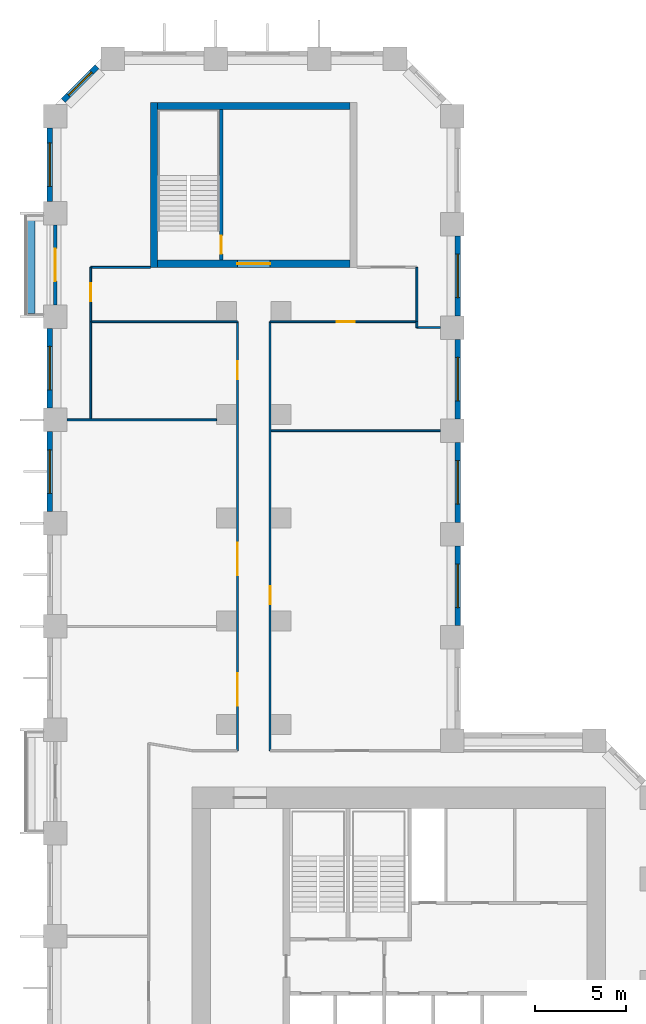
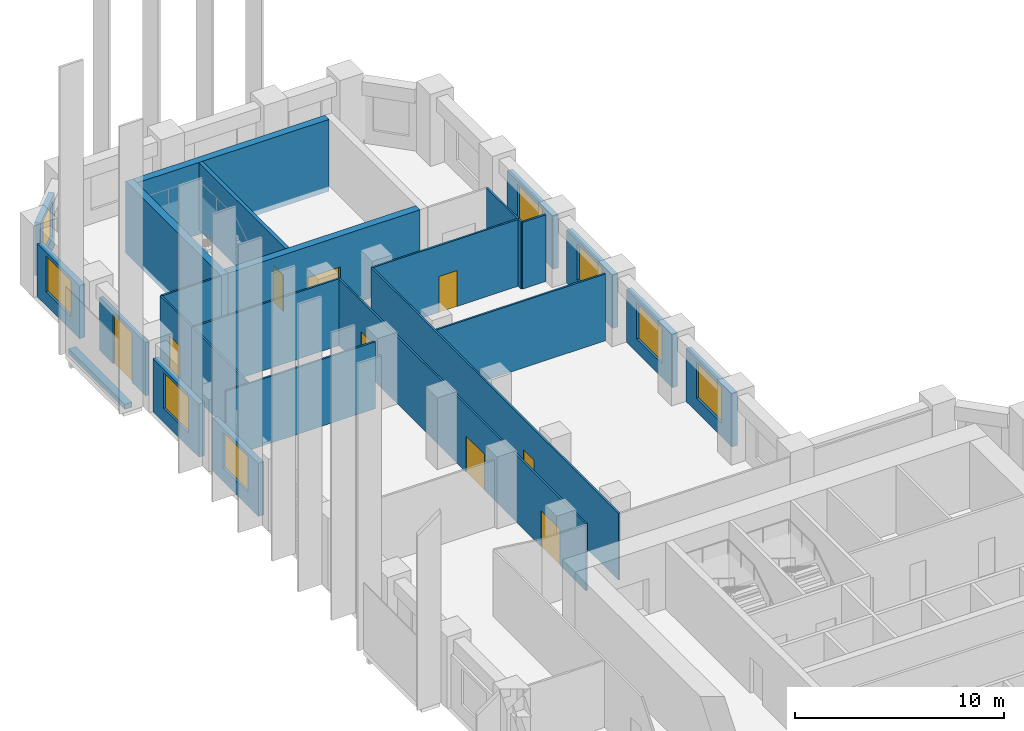
# One storey, part 8 of 10: 26 walls, 9 doors, 8 windows, 17 openings.
"""IFC4 building model written with IfcOpenShell, lengths in metres."""

from ifc_helpers import new_model, si_unit, direction, frame, frame_2d, origin, place, context, subcontext, project, spatial, rectangle, extrude, material, layer, layer_set, type_object, element, fill, save


model = new_model("IFC4")

# Units and contexts
model_context = context("Model", 3, precision=1e-05, world=origin(), true_north=direction((0.0, 1.0)))
body_context = subcontext(model_context, "Body", "Model", "MODEL_VIEW")
ifc_project = project(units=[si_unit("LENGTHUNIT", "METRE"), si_unit("AREAUNIT", "SQUARE_METRE"), si_unit("VOLUMEUNIT", "CUBIC_METRE"), si_unit("PLANEANGLEUNIT", "RADIAN"), si_unit("MASSUNIT", "GRAM", prefix="KILO")], contexts=[model_context])

# Site, building, storey
site_placement = place(None, origin())
site = spatial("IfcSite", under=ifc_project, at=site_placement, CompositionType="ELEMENT")
building_placement = place(site_placement, origin())
building = spatial("IfcBuilding", under=site, at=building_placement, Name="Meshkara Civic Tower", CompositionType="ELEMENT")
storey_placement = place(building_placement, frame((0.0, 0.0, 130.800048828125)))
storey = spatial("IfcBuildingStorey", under=building, at=storey_placement, Name="L29", CompositionType="ELEMENT", Elevation=130.800048828125)

# Wall
ifc_material_1 = material(Name="Corridor wall 100")
ifc_layer_1 = layer(ifc_material_1, 0.10009765625)
ifc_layer_set_1 = layer_set([ifc_layer_1], Name="Corridor wall 100")
wall_type_1 = type_object("IfcWallType", Name="Corridor wall 100", PredefinedType="PARTITIONING", material=ifc_layer_set_1)
wall_1_placement = place(storey_placement, frame((2.39990234375, 62.570068359375, 0.0), z_axis=(0.0, 0.0, 1.0), x_axis=(1.0, 0.0, 0.0)))
element("IfcWall", 1, at=wall_1_placement, inside=storey, type_object=wall_type_1, Name="L29-W001", PredefinedType="PARTITIONING", context=body_context, shape_type="SweptSolid", body=[
    extrude(rectangle(XDim=8.10009765625, YDim=0.10009765625, at=frame_2d((4.050048828125, 0.0))), origin(), (0.0, 0.0, 1.0), 3.89990234375),
])

# Wall, opening, door
wall_2_placement = place(storey_placement, frame((2.39990234375, 65.570068359375, 0.0), z_axis=(0.0, 0.0, 1.0), x_axis=(0.0, -1.0, 0.0)))
wall_2 = element("IfcWall", 2, at=wall_2_placement, inside=storey, type_object=wall_type_1, Name="L29-W002", PredefinedType="PARTITIONING", context=body_context, shape_type="SweptSolid", body=[
    extrude(rectangle(XDim=3.0, YDim=0.10009765625, at=frame_2d((1.5, 0.0))), origin(), (0.0, 0.0, 1.0), 3.89990234375),
])
opening_1_placement = place(wall_2_placement, frame((0.8798828125, 0.0, 0.0)))
opening_1 = element("IfcOpeningElement", 3, at=opening_1_placement, cuts=wall_2, Name="Opening L29-D024", PredefinedType="OPENING", context=body_context, shape_type="SweptSolid", body=[
    extrude(rectangle(XDim=1.0, YDim=2.10009765625, at=frame_2d((0.5, 1.050048828125))), frame((0.0, 0.06005859375, 0.0), z_axis=(0.0, -1.0, 0.0), x_axis=(1.0, 0.0, 0.0)), (0.0, 0.0, 1.0), 0.1201171875),
])
ifc_material_2 = material(Name="Door 1000 x 2100")
door_type_1 = type_object("IfcDoorType", Name="Door 1000 x 2100", OperationType="SINGLE_SWING_LEFT", PredefinedType="DOOR", material=ifc_material_2)
door_1_placement = place(opening_1_placement, origin())
door_1 = element("IfcDoor", 4, at=door_1_placement, inside=storey, type_object=door_type_1, Name="L29-D024", OperationType="SINGLE_SWING_RIGHT", OverallHeight=2.10009765625, OverallWidth=1.0, PredefinedType="DOOR", context=body_context, shape_type="SweptSolid", body=[
    extrude(rectangle(XDim=1.0, YDim=2.10009765625, at=frame_2d((0.5, 1.050048828125))), frame((0.0, 0.02490234375, 0.0), z_axis=(0.0, -1.0, 0.0), x_axis=(1.0, 0.0, 0.0)), (0.0, 0.0, 1.0), 0.050048828125),
])
fill(opening_1, door_1)

# Wall
wall_3_placement = place(storey_placement, frame((5.699951171875, 65.570068359375, 0.0), z_axis=(0.0, 0.0, 1.0), x_axis=(-1.0, 0.0, 0.0)))
element("IfcWall", 5, at=wall_3_placement, inside=storey, type_object=wall_type_1, Name="L29-W005", PredefinedType="PARTITIONING", context=body_context, shape_type="SweptSolid", body=[
    extrude(rectangle(XDim=3.300048828125, YDim=0.10009765625, at=frame_2d((1.64990234375, 0.0))), origin(), (0.0, 0.0, 1.0), 3.89990234375),
])

# Wall, openings, doors
wall_4_placement = place(storey_placement, frame((10.5, 62.570068359375, 0.0), z_axis=(0.0, 0.0, 1.0), x_axis=(0.0, -1.0, 0.0)))
wall_4 = element("IfcWall", 6, at=wall_4_placement, inside=storey, type_object=wall_type_1, Name="L29-W013", PredefinedType="PARTITIONING", context=body_context, shape_type="SweptSolid", body=[
    extrude(rectangle(XDim=23.670166015625, YDim=0.10009765625, at=frame_2d((11.8349609375, 0.0))), origin(), (0.0, 0.0, 1.0), 3.89990234375),
])
opening_2_placement = place(wall_4_placement, frame((19.39501953125, 0.0, 0.0)))
opening_2 = element("IfcOpeningElement", 7, at=opening_2_placement, cuts=wall_4, Name="Opening L29-D020", PredefinedType="OPENING", context=body_context, shape_type="SweptSolid", body=[
    extrude(rectangle(XDim=1.800048828125, YDim=2.10009765625, at=frame_2d((0.89990234375, 1.050048828125))), frame((0.0, 0.06005859375, 0.0), z_axis=(0.0, -1.0, 0.0), x_axis=(1.0, 0.0, 0.0)), (0.0, 0.0, 1.0), 0.1201171875),
])
opening_3_placement = place(wall_4_placement, frame((12.195068359375, 0.0, 0.0)))
opening_3 = element("IfcOpeningElement", 8, at=opening_3_placement, cuts=wall_4, Name="Opening L29-D022", PredefinedType="OPENING", context=body_context, shape_type="SweptSolid", body=[
    extrude(rectangle(XDim=1.800048828125, YDim=2.10009765625, at=frame_2d((0.89990234375, 1.050048828125))), frame((0.0, 0.06005859375, 0.0), z_axis=(0.0, -1.0, 0.0), x_axis=(1.0, 0.0, 0.0)), (0.0, 0.0, 1.0), 0.1201171875),
])
opening_4_placement = place(wall_4_placement, frame((2.179931640625, 0.0, 0.0)))
opening_4 = element("IfcOpeningElement", 9, at=opening_4_placement, cuts=wall_4, Name="Opening L29-D023", PredefinedType="OPENING", context=body_context, shape_type="SweptSolid", body=[
    extrude(rectangle(XDim=1.0, YDim=2.10009765625, at=frame_2d((0.5, 1.050048828125))), frame((0.0, 0.06005859375, 0.0), z_axis=(0.0, -1.0, 0.0), x_axis=(1.0, 0.0, 0.0)), (0.0, 0.0, 1.0), 0.1201171875),
])
door_2_placement = place(opening_4_placement, origin())
door_2 = element("IfcDoor", 10, at=door_2_placement, inside=storey, type_object=door_type_1, Name="L29-D023", OperationType="SINGLE_SWING_RIGHT", OverallHeight=2.10009765625, OverallWidth=1.0, PredefinedType="DOOR", context=body_context, shape_type="SweptSolid", body=[
    extrude(rectangle(XDim=1.0, YDim=2.10009765625, at=frame_2d((0.5, 1.050048828125))), frame((0.0, 0.02490234375, 0.0), z_axis=(0.0, -1.0, 0.0), x_axis=(1.0, 0.0, 0.0)), (0.0, 0.0, 1.0), 0.050048828125),
])
fill(opening_4, door_2)
ifc_material_3 = material(Name="Door pair 1800 x 2100")
door_type_2 = type_object("IfcDoorType", Name="Door pair 1800 x 2100", OperationType="SINGLE_SWING_LEFT", PredefinedType="DOOR", material=ifc_material_3)
door_3_placement = place(opening_2_placement, origin())
door_3 = element("IfcDoor", 11, at=door_3_placement, inside=storey, type_object=door_type_2, Name="L29-D020", OperationType="DOUBLE_DOOR_SINGLE_SWING", OverallHeight=2.10009765625, OverallWidth=1.800048828125, PredefinedType="DOOR", context=body_context, shape_type="SweptSolid", body=[
    extrude(rectangle(XDim=1.800048828125, YDim=2.10009765625, at=frame_2d((0.89990234375, 1.050048828125))), frame((0.0, 0.02490234375, 0.0), z_axis=(0.0, -1.0, 0.0), x_axis=(1.0, 0.0, 0.0)), (0.0, 0.0, 1.0), 0.050048828125),
])
fill(opening_2, door_3)
door_4_placement = place(opening_3_placement, origin())
door_4 = element("IfcDoor", 12, at=door_4_placement, inside=storey, type_object=door_type_2, Name="L29-D022", OperationType="DOUBLE_DOOR_SINGLE_SWING", OverallHeight=2.10009765625, OverallWidth=1.800048828125, PredefinedType="DOOR", context=body_context, shape_type="SweptSolid", body=[
    extrude(rectangle(XDim=1.800048828125, YDim=2.10009765625, at=frame_2d((0.89990234375, 1.050048828125))), frame((0.0, 0.02490234375, 0.0), z_axis=(0.0, -1.0, 0.0), x_axis=(1.0, 0.0, 0.0)), (0.0, 0.0, 1.0), 0.050048828125),
])
fill(opening_3, door_4)

# Wall, opening, door
wall_5_placement = place(storey_placement, frame((12.300048828125, 62.570068359375, 0.0), z_axis=(0.0, 0.0, 1.0), x_axis=(0.0, -1.0, 0.0)))
wall_5 = element("IfcWall", 13, at=wall_5_placement, inside=storey, type_object=wall_type_1, Name="L29-W014", PredefinedType="PARTITIONING", context=body_context, shape_type="SweptSolid", body=[
    extrude(rectangle(XDim=23.670166015625, YDim=0.10009765625, at=frame_2d((11.8349609375, 0.0))), origin(), (0.0, 0.0, 1.0), 3.89990234375),
])
opening_5_placement = place(wall_5_placement, frame((14.60009765625, 0.0, 0.0)))
opening_5 = element("IfcOpeningElement", 14, at=opening_5_placement, cuts=wall_5, Name="Opening L29-D021", PredefinedType="OPENING", context=body_context, shape_type="SweptSolid", body=[
    extrude(rectangle(XDim=1.0, YDim=2.10009765625, at=frame_2d((0.5, 1.050048828125))), frame((0.0, 0.06005859375, 0.0), z_axis=(0.0, -1.0, 0.0), x_axis=(1.0, 0.0, 0.0)), (0.0, 0.0, 1.0), 0.1201171875),
])
door_5_placement = place(opening_5_placement, origin())
door_5 = element("IfcDoor", 15, at=door_5_placement, inside=storey, type_object=door_type_1, Name="L29-D021", OperationType="SINGLE_SWING_RIGHT", OverallHeight=2.10009765625, OverallWidth=1.0, PredefinedType="DOOR", context=body_context, shape_type="SweptSolid", body=[
    extrude(rectangle(XDim=1.0, YDim=2.10009765625, at=frame_2d((0.5, 1.050048828125))), frame((0.0, 0.02490234375, 0.0), z_axis=(0.0, -1.0, 0.0), x_axis=(1.0, 0.0, 0.0)), (0.0, 0.0, 1.0), 0.050048828125),
])
fill(opening_5, door_5)

wall_6_placement = place(storey_placement, frame((12.300048828125, 62.570068359375, 0.0), z_axis=(0.0, 0.0, 1.0), x_axis=(1.0, 0.0, 0.0)))
wall_6 = element("IfcWall", 16, at=wall_6_placement, inside=storey, type_object=wall_type_1, Name="L29-W015", PredefinedType="PARTITIONING", context=body_context, shape_type="SweptSolid", body=[
    extrude(rectangle(XDim=8.099853515625, YDim=0.10009765625, at=frame_2d((4.0498046875, 0.0))), origin(), (0.0, 0.0, 1.0), 3.89990234375),
])
opening_6_placement = place(wall_6_placement, frame((3.679931640625, 0.0, 0.0)))
opening_6 = element("IfcOpeningElement", 17, at=opening_6_placement, cuts=wall_6, Name="Opening L29-D025", PredefinedType="OPENING", context=body_context, shape_type="SweptSolid", body=[
    extrude(rectangle(XDim=1.0, YDim=2.10009765625, at=frame_2d((0.5, 1.050048828125))), frame((0.0, 0.06005859375, 0.0), z_axis=(0.0, -1.0, 0.0), x_axis=(1.0, 0.0, 0.0)), (0.0, 0.0, 1.0), 0.1201171875),
])
door_6_placement = place(opening_6_placement, origin())
door_6 = element("IfcDoor", 18, at=door_6_placement, inside=storey, type_object=door_type_1, Name="L29-D025", OperationType="SINGLE_SWING_LEFT", OverallHeight=2.10009765625, OverallWidth=1.0, PredefinedType="DOOR", context=body_context, shape_type="SweptSolid", body=[
    extrude(rectangle(XDim=1.0, YDim=2.10009765625, at=frame_2d((0.5, 1.050048828125))), frame((0.0, 0.02490234375, 0.0), z_axis=(0.0, -1.0, 0.0), x_axis=(1.0, 0.0, 0.0)), (0.0, 0.0, 1.0), 0.050048828125),
])
fill(opening_6, door_6)

# Wall
wall_7_placement = place(storey_placement, frame((20.39990234375, 62.570068359375, 0.0), z_axis=(0.0, 0.0, 1.0), x_axis=(0.0, 1.0, 0.0)))
element("IfcWall", 19, at=wall_7_placement, inside=storey, type_object=wall_type_1, Name="L29-W017", PredefinedType="PARTITIONING", context=body_context, shape_type="SweptSolid", body=[
    extrude(rectangle(XDim=3.0, YDim=0.10009765625, at=frame_2d((1.5, 0.0))), origin(), (0.0, 0.0, 1.0), 3.89990234375),
])

# Wall, opening, window
ifc_material_4 = material(Name="Insulated infill panel with bronze anodised aluminium cladding", Category="aluminium")
ifc_layer_2 = layer(ifc_material_4, 0.300048828125)
ifc_layer_set_2 = layer_set([ifc_layer_2], Name="EXTERNAL INFILL WALL 300")
wall_type_2 = type_object("IfcWallType", Name="EXTERNAL INFILL WALL 300", PredefinedType="SOLIDWALL", material=ifc_layer_set_2)
wall_8_placement = place(storey_placement, frame((22.64990234375, 45.800048828125, 0.0), z_axis=(0.0, 0.0, 1.0), x_axis=(0.0, 1.0, 0.0)))
wall_8 = element("IfcWall", 20, at=wall_8_placement, inside=storey, type_object=wall_type_2, Name="External wall", PredefinedType="SOLIDWALL", context=body_context, shape_type="SweptSolid", body=[
    extrude(rectangle(XDim=4.39990234375, YDim=0.300048828125, at=frame_2d((2.199951171875, 0.0))), origin(), (0.0, 0.0, 1.0), 3.099853515625),
])
opening_7_placement = place(wall_8_placement, frame((1.0, 0.0, 0.800048828125)))
opening_7 = element("IfcOpeningElement", 21, at=opening_7_placement, cuts=wall_8, Name="Opening W7", PredefinedType="OPENING", context=body_context, shape_type="SweptSolid", body=[
    extrude(rectangle(XDim=2.39990234375, YDim=2.10009765625, at=frame_2d((1.199951171875, 1.050048828125))), frame((0.0, 0.159912109375, 0.0), z_axis=(0.0, -1.0, 0.0), x_axis=(1.0, 0.0, 0.0)), (0.0, 0.0, 1.0), 0.320068359375),
])
ifc_material_5 = material(Name="Tinted double glazing", Category="glass")
window_type_1 = type_object("IfcWindowType", Name="WINDOW 2400x2100", PartitioningType="DOUBLE_PANEL_VERTICAL", PredefinedType="WINDOW", material=ifc_material_5)
window_1_placement = place(opening_7_placement, origin())
window_1 = element("IfcWindow", 22, at=window_1_placement, inside=storey, type_object=window_type_1, Name="Window", OverallHeight=2.10009765625, OverallWidth=2.39990234375, PartitioningType="DOUBLE_PANEL_VERTICAL", PredefinedType="WINDOW", context=body_context, shape_type="SweptSolid", body=[
    extrude(rectangle(XDim=2.39990234375, YDim=2.10009765625, at=frame_2d((1.199951171875, 1.050048828125))), frame((0.0, 0.030029296875, 0.0), z_axis=(0.0, -1.0, 0.0), x_axis=(1.0, 0.0, 0.0)), (0.0, 0.0, 1.0), 0.06005859375),
])
fill(opening_7, window_1)

wall_9_placement = place(storey_placement, frame((22.64990234375, 51.5, 0.0), z_axis=(0.0, 0.0, 1.0), x_axis=(0.0, 1.0, 0.0)))
wall_9 = element("IfcWall", 23, at=wall_9_placement, inside=storey, type_object=wall_type_2, Name="External wall", PredefinedType="SOLIDWALL", context=body_context, shape_type="SweptSolid", body=[
    extrude(rectangle(XDim=4.39990234375, YDim=0.300048828125, at=frame_2d((2.199951171875, 0.0))), origin(), (0.0, 0.0, 1.0), 3.099853515625),
])
opening_8_placement = place(wall_9_placement, frame((1.0, 0.0, 0.800048828125)))
opening_8 = element("IfcOpeningElement", 24, at=opening_8_placement, cuts=wall_9, Name="Opening W7", PredefinedType="OPENING", context=body_context, shape_type="SweptSolid", body=[
    extrude(rectangle(XDim=2.39990234375, YDim=2.10009765625, at=frame_2d((1.199951171875, 1.050048828125))), frame((0.0, 0.159912109375, 0.0), z_axis=(0.0, -1.0, 0.0), x_axis=(1.0, 0.0, 0.0)), (0.0, 0.0, 1.0), 0.320068359375),
])
window_2_placement = place(opening_8_placement, origin())
window_2 = element("IfcWindow", 25, at=window_2_placement, inside=storey, type_object=window_type_1, Name="Window", OverallHeight=2.10009765625, OverallWidth=2.39990234375, PartitioningType="DOUBLE_PANEL_VERTICAL", PredefinedType="WINDOW", context=body_context, shape_type="SweptSolid", body=[
    extrude(rectangle(XDim=2.39990234375, YDim=2.10009765625, at=frame_2d((1.199951171875, 1.050048828125))), frame((0.0, 0.030029296875, 0.0), z_axis=(0.0, -1.0, 0.0), x_axis=(1.0, 0.0, 0.0)), (0.0, 0.0, 1.0), 0.06005859375),
])
fill(opening_8, window_2)

wall_10_placement = place(storey_placement, frame((22.64990234375, 57.199951171875, 0.0), z_axis=(0.0, 0.0, 1.0), x_axis=(0.0, 1.0, 0.0)))
wall_10 = element("IfcWall", 26, at=wall_10_placement, inside=storey, type_object=wall_type_2, Name="External wall", PredefinedType="SOLIDWALL", context=body_context, shape_type="SweptSolid", body=[
    extrude(rectangle(XDim=4.400146484375, YDim=0.300048828125, at=frame_2d((2.2001953125, 0.0))), origin(), (0.0, 0.0, 1.0), 3.099853515625),
])
opening_9_placement = place(wall_10_placement, frame((1.0, 0.0, 0.800048828125)))
opening_9 = element("IfcOpeningElement", 27, at=opening_9_placement, cuts=wall_10, Name="Opening W7", PredefinedType="OPENING", context=body_context, shape_type="SweptSolid", body=[
    extrude(rectangle(XDim=2.39990234375, YDim=2.10009765625, at=frame_2d((1.199951171875, 1.050048828125))), frame((0.0, 0.159912109375, 0.0), z_axis=(0.0, -1.0, 0.0), x_axis=(1.0, 0.0, 0.0)), (0.0, 0.0, 1.0), 0.320068359375),
])
window_3_placement = place(opening_9_placement, origin())
window_3 = element("IfcWindow", 28, at=window_3_placement, inside=storey, type_object=window_type_1, Name="Window", OverallHeight=2.10009765625, OverallWidth=2.39990234375, PartitioningType="DOUBLE_PANEL_VERTICAL", PredefinedType="WINDOW", context=body_context, shape_type="SweptSolid", body=[
    extrude(rectangle(XDim=2.39990234375, YDim=2.10009765625, at=frame_2d((1.199951171875, 1.050048828125))), frame((0.0, 0.030029296875, 0.0), z_axis=(0.0, -1.0, 0.0), x_axis=(1.0, 0.0, 0.0)), (0.0, 0.0, 1.0), 0.06005859375),
])
fill(opening_9, window_3)

wall_11_placement = place(storey_placement, frame((22.64990234375, 62.89990234375, 0.0), z_axis=(0.0, 0.0, 1.0), x_axis=(0.0, 1.0, 0.0)))
wall_11 = element("IfcWall", 29, at=wall_11_placement, inside=storey, type_object=wall_type_2, Name="External wall", PredefinedType="SOLIDWALL", context=body_context, shape_type="SweptSolid", body=[
    extrude(rectangle(XDim=4.400146484375, YDim=0.300048828125, at=frame_2d((2.2001953125, 0.0))), origin(), (0.0, 0.0, 1.0), 3.099853515625),
])
opening_10_placement = place(wall_11_placement, frame((1.0, 0.0, 0.800048828125)))
opening_10 = element("IfcOpeningElement", 30, at=opening_10_placement, cuts=wall_11, Name="Opening W7", PredefinedType="OPENING", context=body_context, shape_type="SweptSolid", body=[
    extrude(rectangle(XDim=2.39990234375, YDim=2.10009765625, at=frame_2d((1.199951171875, 1.050048828125))), frame((0.0, 0.159912109375, 0.0), z_axis=(0.0, -1.0, 0.0), x_axis=(1.0, 0.0, 0.0)), (0.0, 0.0, 1.0), 0.320068359375),
])
window_4_placement = place(opening_10_placement, origin())
window_4 = element("IfcWindow", 31, at=window_4_placement, inside=storey, type_object=window_type_1, Name="Window", OverallHeight=2.10009765625, OverallWidth=2.39990234375, PartitioningType="DOUBLE_PANEL_VERTICAL", PredefinedType="WINDOW", context=body_context, shape_type="SweptSolid", body=[
    extrude(rectangle(XDim=2.39990234375, YDim=2.10009765625, at=frame_2d((1.199951171875, 1.050048828125))), frame((0.0, 0.030029296875, 0.0), z_axis=(0.0, -1.0, 0.0), x_axis=(1.0, 0.0, 0.0)), (0.0, 0.0, 1.0), 0.06005859375),
])
fill(opening_10, window_4)

wall_12_placement = place(storey_placement, frame((2.743896484375, 76.632080078125, 0.0), z_axis=(0.0, 0.0, 1.0), x_axis=(-0.707060274772, -0.707153284542, 0.0)))
wall_12 = element("IfcWall", 32, at=wall_12_placement, inside=storey, type_object=wall_type_2, Name="External wall", PredefinedType="SOLIDWALL", context=body_context, shape_type="SweptSolid", body=[
    extrude(rectangle(XDim=2.625, YDim=0.300048828125, at=frame_2d((1.3125, 0.0))), origin(), (0.0, 0.0, 1.0), 3.099853515625),
])
opening_11_placement = place(wall_12_placement, frame((0.412109375, 0.0, 0.800048828125)))
opening_11 = element("IfcOpeningElement", 33, at=opening_11_placement, cuts=wall_12, Name="Opening W9", PredefinedType="OPENING", context=body_context, shape_type="SweptSolid", body=[
    extrude(rectangle(XDim=1.800048828125, YDim=2.10009765625, at=frame_2d((0.89990234375, 1.050048828125))), frame((0.0, 0.159912109375, 0.0), z_axis=(0.0, -1.0, 0.0), x_axis=(1.0, 0.0, 0.0)), (0.0, 0.0, 1.0), 0.320068359375),
])
ifc_material_6 = material(Name="Tinted double glazing", Category="glass")
window_type_2 = type_object("IfcWindowType", Name="WINDOW 1800x2100", PartitioningType="DOUBLE_PANEL_VERTICAL", PredefinedType="WINDOW", material=ifc_material_6)
window_5_placement = place(opening_11_placement, origin())
window_5 = element("IfcWindow", 34, at=window_5_placement, inside=storey, type_object=window_type_2, Name="Window", OverallHeight=2.10009765625, OverallWidth=1.800048828125, PartitioningType="DOUBLE_PANEL_VERTICAL", PredefinedType="WINDOW", context=body_context, shape_type="SweptSolid", body=[
    extrude(rectangle(XDim=1.800048828125, YDim=2.10009765625, at=frame_2d((0.89990234375, 1.050048828125))), frame((0.0, 0.030029296875, 0.0), z_axis=(0.0, -1.0, 0.0), x_axis=(1.0, 0.0, 0.0)), (0.0, 0.0, 1.0), 0.06005859375),
])
fill(opening_11, window_5)

wall_13_placement = place(storey_placement, frame((0.14990234375, 73.263916015625, 0.0), z_axis=(0.0, 0.0, 1.0), x_axis=(0.0, -1.0, 0.0)))
wall_13 = element("IfcWall", 35, at=wall_13_placement, inside=storey, type_object=wall_type_2, Name="External wall", PredefinedType="SOLIDWALL", context=body_context, shape_type="SweptSolid", body=[
    extrude(rectangle(XDim=4.058837890625, YDim=0.300048828125, at=frame_2d((2.029296875, 0.0))), origin(), (0.0, 0.0, 1.0), 3.099853515625),
])
opening_12_placement = place(wall_13_placement, frame((0.8291015625, 0.0, 0.800048828125)))
opening_12 = element("IfcOpeningElement", 36, at=opening_12_placement, cuts=wall_13, Name="Opening W7", PredefinedType="OPENING", context=body_context, shape_type="SweptSolid", body=[
    extrude(rectangle(XDim=2.39990234375, YDim=2.10009765625, at=frame_2d((1.199951171875, 1.050048828125))), frame((0.0, 0.159912109375, 0.0), z_axis=(0.0, -1.0, 0.0), x_axis=(1.0, 0.0, 0.0)), (0.0, 0.0, 1.0), 0.320068359375),
])
window_6_placement = place(opening_12_placement, origin())
window_6 = element("IfcWindow", 37, at=window_6_placement, inside=storey, type_object=window_type_1, Name="Window", OverallHeight=2.10009765625, OverallWidth=2.39990234375, PartitioningType="DOUBLE_PANEL_VERTICAL", PredefinedType="WINDOW", context=body_context, shape_type="SweptSolid", body=[
    extrude(rectangle(XDim=2.39990234375, YDim=2.10009765625, at=frame_2d((1.199951171875, 1.050048828125))), frame((0.0, 0.030029296875, 0.0), z_axis=(0.0, -1.0, 0.0), x_axis=(1.0, 0.0, 0.0)), (0.0, 0.0, 1.0), 0.06005859375),
])
fill(opening_12, window_6)

wall_14_placement = place(storey_placement, frame((0.14990234375, 62.205078125, 0.0), z_axis=(0.0, 0.0, 1.0), x_axis=(0.0, -1.0, 0.0)))
wall_14 = element("IfcWall", 38, at=wall_14_placement, inside=storey, type_object=wall_type_2, Name="External wall", PredefinedType="SOLIDWALL", context=body_context, shape_type="SweptSolid", body=[
    extrude(rectangle(XDim=4.400146484375, YDim=0.300048828125, at=frame_2d((2.2001953125, 0.0))), origin(), (0.0, 0.0, 1.0), 3.099853515625),
])
opening_13_placement = place(wall_14_placement, frame((1.0, 0.0, 0.800048828125)))
opening_13 = element("IfcOpeningElement", 39, at=opening_13_placement, cuts=wall_14, Name="Opening W7", PredefinedType="OPENING", context=body_context, shape_type="SweptSolid", body=[
    extrude(rectangle(XDim=2.39990234375, YDim=2.10009765625, at=frame_2d((1.199951171875, 1.050048828125))), frame((0.0, 0.159912109375, 0.0), z_axis=(0.0, -1.0, 0.0), x_axis=(1.0, 0.0, 0.0)), (0.0, 0.0, 1.0), 0.320068359375),
])
window_7_placement = place(opening_13_placement, origin())
window_7 = element("IfcWindow", 40, at=window_7_placement, inside=storey, type_object=window_type_1, Name="Window", OverallHeight=2.10009765625, OverallWidth=2.39990234375, PartitioningType="DOUBLE_PANEL_VERTICAL", PredefinedType="WINDOW", context=body_context, shape_type="SweptSolid", body=[
    extrude(rectangle(XDim=2.39990234375, YDim=2.10009765625, at=frame_2d((1.199951171875, 1.050048828125))), frame((0.0, 0.030029296875, 0.0), z_axis=(0.0, -1.0, 0.0), x_axis=(1.0, 0.0, 0.0)), (0.0, 0.0, 1.0), 0.06005859375),
])
fill(opening_13, window_7)

wall_15_placement = place(storey_placement, frame((0.14990234375, 56.5048828125, 0.0), z_axis=(0.0, 0.0, 1.0), x_axis=(0.0, -1.0, 0.0)))
wall_15 = element("IfcWall", 41, at=wall_15_placement, inside=storey, type_object=wall_type_2, Name="External wall", PredefinedType="SOLIDWALL", context=body_context, shape_type="SweptSolid", body=[
    extrude(rectangle(XDim=4.39990234375, YDim=0.300048828125, at=frame_2d((2.199951171875, 0.0))), origin(), (0.0, 0.0, 1.0), 3.099853515625),
])
opening_14_placement = place(wall_15_placement, frame((1.0, 0.0, 0.800048828125)))
opening_14 = element("IfcOpeningElement", 42, at=opening_14_placement, cuts=wall_15, Name="Opening W7", PredefinedType="OPENING", context=body_context, shape_type="SweptSolid", body=[
    extrude(rectangle(XDim=2.39990234375, YDim=2.10009765625, at=frame_2d((1.199951171875, 1.050048828125))), frame((0.0, 0.159912109375, 0.0), z_axis=(0.0, -1.0, 0.0), x_axis=(1.0, 0.0, 0.0)), (0.0, 0.0, 1.0), 0.320068359375),
])
window_8_placement = place(opening_14_placement, origin())
window_8 = element("IfcWindow", 43, at=window_8_placement, inside=storey, type_object=window_type_1, Name="Window", OverallHeight=2.10009765625, OverallWidth=2.39990234375, PartitioningType="DOUBLE_PANEL_VERTICAL", PredefinedType="WINDOW", context=body_context, shape_type="SweptSolid", body=[
    extrude(rectangle(XDim=2.39990234375, YDim=2.10009765625, at=frame_2d((1.199951171875, 1.050048828125))), frame((0.0, 0.030029296875, 0.0), z_axis=(0.0, -1.0, 0.0), x_axis=(1.0, 0.0, 0.0)), (0.0, 0.0, 1.0), 0.06005859375),
])
fill(opening_14, window_8)

# Wall
ifc_material_7 = material(Name="Concrete C70", Category="concrete")
ifc_layer_3 = layer(ifc_material_7, 0.39990234375)
ifc_layer_set_3 = layer_set([ifc_layer_3], Name="End core ring wall 400 C70")
wall_type_3 = type_object("IfcWallType", Name="End core ring wall 400 C70", PredefinedType="SHEAR", material=ifc_layer_set_3)
wall_16_placement = place(storey_placement, frame((5.89990234375, 65.570068359375, -0.300048828125), z_axis=(0.0, 0.0, 1.0), x_axis=(0.0, 1.0, 0.0)))
element("IfcWall", 44, at=wall_16_placement, inside=storey, type_object=wall_type_3, Name="L29-C026", PredefinedType="SHEAR", context=body_context, shape_type="SweptSolid", body=[
    extrude(rectangle(XDim=9.099853515625, YDim=0.39990234375, at=frame_2d((4.5498046875, 0.0))), origin(), (0.0, 0.0, 1.0), 4.199951171875),
])

# Wall, opening, door
wall_17_placement = place(storey_placement, frame((6.10009765625, 65.77001953125, -0.300048828125), z_axis=(0.0, 0.0, 1.0), x_axis=(1.0, 0.0, 0.0)))
wall_17 = element("IfcWall", 45, at=wall_17_placement, inside=storey, type_object=wall_type_3, Name="L29-C028", PredefinedType="SHEAR", context=body_context, shape_type="SweptSolid", body=[
    extrude(rectangle(XDim=10.599853515625, YDim=0.39990234375, at=frame_2d((5.2998046875, 0.0))), origin(), (0.0, 0.0, 1.0), 4.199951171875),
])
opening_15_placement = place(wall_17_placement, frame((4.39990234375, 0.0, 0.300048828125)))
opening_15 = element("IfcOpeningElement", 46, at=opening_15_placement, cuts=wall_17, Name="Opening L29-K102", PredefinedType="OPENING", context=body_context, shape_type="SweptSolid", body=[
    extrude(rectangle(XDim=1.800048828125, YDim=2.10009765625, at=frame_2d((0.89990234375, 1.050048828125))), frame((0.0, 0.2099609375, 0.0), z_axis=(0.0, -1.0, 0.0), x_axis=(1.0, 0.0, 0.0)), (0.0, 0.0, 1.0), 0.419921875),
])
ifc_material_8 = material(Name="Fire-rated door leaf in steel frame", Category="steel")
door_type_3 = type_object("IfcDoorType", Name="Core double door 1800 EI 60", OperationType="DOUBLE_DOOR_SINGLE_SWING", PredefinedType="DOOR", material=ifc_material_8)
door_7_placement = place(opening_15_placement, origin())
door_7 = element("IfcDoor", 47, at=door_7_placement, inside=storey, type_object=door_type_3, Name="L29-K102", OperationType="DOUBLE_DOOR_SINGLE_SWING", OverallHeight=2.10009765625, OverallWidth=1.800048828125, PredefinedType="DOOR", context=body_context, shape_type="SweptSolid", body=[
    extrude(rectangle(XDim=1.800048828125, YDim=2.10009765625, at=frame_2d((0.89990234375, 1.050048828125))), frame((0.0, 0.02490234375, 0.0), z_axis=(0.0, -1.0, 0.0), x_axis=(1.0, 0.0, 0.0)), (0.0, 0.0, 1.0), 0.050048828125),
])
fill(opening_15, door_7)

# Wall
wall_18_placement = place(storey_placement, frame((6.10009765625, 74.469970703125, -0.300048828125), z_axis=(0.0, 0.0, 1.0), x_axis=(1.0, 0.0, 0.0)))
element("IfcWall", 48, at=wall_18_placement, inside=storey, type_object=wall_type_3, Name="L29-C029", PredefinedType="SHEAR", context=body_context, shape_type="SweptSolid", body=[
    extrude(rectangle(XDim=10.599853515625, YDim=0.39990234375, at=frame_2d((5.2998046875, 0.0))), origin(), (0.0, 0.0, 1.0), 4.199951171875),
])

# Wall, opening, door
ifc_material_9 = material(Name="Insulated infill panel with bronze anodised aluminium cladding", Category="aluminium")
ifc_layer_4 = layer(ifc_material_9, 0.199951171875)
ifc_layer_set_4 = layer_set([ifc_layer_4], Name="LOGGIA BACK WALL 200")
wall_type_4 = type_object("IfcWallType", Name="LOGGIA BACK WALL 200", PredefinedType="SOLIDWALL", material=ifc_layer_set_4)
wall_19_placement = place(storey_placement, frame((0.449951171875, 67.905029296875, 0.0), z_axis=(0.0, 0.0, 1.0), x_axis=(0.0, -1.0, 0.0)))
wall_19 = element("IfcWall", 49, at=wall_19_placement, inside=storey, type_object=wall_type_4, Name="Loggia wall", PredefinedType="SOLIDWALL", context=body_context, shape_type="SweptSolid", body=[
    extrude(rectangle(XDim=4.400146484375, YDim=0.199951171875, at=frame_2d((2.2001953125, 0.0))), origin(), (0.0, 0.0, 1.0), 3.099853515625),
])
opening_16_placement = place(wall_19_placement, frame((1.300048828125, 0.0, 0.0)))
opening_16 = element("IfcOpeningElement", 50, at=opening_16_placement, cuts=wall_19, Name="Opening L29-L001", PredefinedType="OPENING", context=body_context, shape_type="SweptSolid", body=[
    extrude(rectangle(XDim=1.800048828125, YDim=2.89990234375, at=frame_2d((0.89990234375, 1.449951171875))), frame((0.0, 0.10986328125, 0.0), z_axis=(0.0, -1.0, 0.0), x_axis=(1.0, 0.0, 0.0)), (0.0, 0.0, 1.0), 0.219970703125),
])
ifc_material_10 = material(Name="Tinted double glazing", Category="glass")
door_type_4 = type_object("IfcDoorType", Name="LOGGIA DOOR 1800x2900", OperationType="DOUBLE_DOOR_SINGLE_SWING", PredefinedType="DOOR", material=ifc_material_10)
door_8_placement = place(opening_16_placement, origin())
door_8 = element("IfcDoor", 51, at=door_8_placement, inside=storey, type_object=door_type_4, Name="L29-L001", OperationType="DOUBLE_DOOR_SINGLE_SWING", OverallHeight=2.89990234375, OverallWidth=1.800048828125, PredefinedType="DOOR", context=body_context, shape_type="SweptSolid", body=[
    extrude(rectangle(XDim=1.800048828125, YDim=2.89990234375, at=frame_2d((0.89990234375, 1.449951171875))), frame((0.0, 0.02490234375, 0.0), z_axis=(0.0, -1.0, 0.0), x_axis=(1.0, 0.0, 0.0)), (0.0, 0.0, 1.0), 0.050048828125),
])
fill(opening_16, door_8)

# Walls
ifc_material_11 = material(Name="Concrete C40", Category="concrete")
ifc_layer_5 = layer(ifc_material_11, 0.39990234375)
ifc_layer_set_5 = layer_set([ifc_layer_5], Name="PLANTER TRAY")
wall_type_5 = type_object("IfcWallType", Name="PLANTER TRAY", PredefinedType="SOLIDWALL", material=ifc_layer_set_5)
wall_20_placement = place(storey_placement, frame((-0.8798828125, 68.385009765625, 0.0), z_axis=(0.0, 0.0, 1.0), x_axis=(0.0, -1.0, 0.0)))
element("IfcWall", 52, at=wall_20_placement, inside=storey, type_object=wall_type_5, Name="Planter", PredefinedType="SOLIDWALL", context=body_context, shape_type="SweptSolid", body=[
    extrude(rectangle(XDim=5.360107421875, YDim=0.39990234375, at=frame_2d((2.68017578125, 0.0))), origin(), (0.0, 0.0, 1.0), 0.300048828125),
])
ifc_material_12 = material(Name="Partition 100")
ifc_layer_6 = layer(ifc_material_12, 0.10009765625)
ifc_layer_set_6 = layer_set([ifc_layer_6], Name="Partition 100")
wall_type_6 = type_object("IfcWallType", Name="Partition 100", PredefinedType="PARTITIONING", material=ifc_layer_set_6)
wall_21_placement = place(storey_placement, frame((1.10009765625, 57.155029296875, 0.0), z_axis=(0.0, 0.0, 1.0), x_axis=(1.0, 0.0, 0.0)))
element("IfcWall", 53, at=wall_21_placement, inside=storey, type_object=wall_type_6, Name="L29-W031", PredefinedType="PARTITIONING", context=body_context, shape_type="SweptSolid", body=[
    extrude(rectangle(XDim=8.25, YDim=0.10009765625, at=frame_2d((4.125, 0.0))), origin(), (0.0, 0.0, 1.0), 3.89990234375),
])
wall_22_placement = place(storey_placement, frame((2.39990234375, 57.205078125, 0.0), z_axis=(0.0, 0.0, 1.0), x_axis=(0.0, 1.0, 0.0)))
element("IfcWall", 54, at=wall_22_placement, inside=storey, type_object=wall_type_6, Name="L29-W032", PredefinedType="PARTITIONING", context=body_context, shape_type="SweptSolid", body=[
    extrude(rectangle(XDim=5.368896484375, YDim=0.10009765625, at=frame_2d((2.6845703125, 0.0))), origin(), (0.0, 0.0, 1.0), 3.89990234375),
])
wall_23_placement = place(storey_placement, frame((20.39990234375, 62.25, 0.0), z_axis=(0.0, 0.0, 1.0), x_axis=(0.0, 1.0, 0.0)))
element("IfcWall", 55, at=wall_23_placement, inside=storey, type_object=wall_type_6, Name="L29-W040", PredefinedType="PARTITIONING", context=body_context, shape_type="SweptSolid", body=[
    extrude(rectangle(XDim=0.323974609375, YDim=0.10009765625, at=frame_2d((0.162109375, 0.0))), origin(), (0.0, 0.0, 1.0), 3.89990234375),
])
wall_24_placement = place(storey_placement, frame((21.699951171875, 56.550048828125, 0.0), z_axis=(0.0, 0.0, 1.0), x_axis=(-1.0, 0.0, 0.0)))
element("IfcWall", 56, at=wall_24_placement, inside=storey, type_object=wall_type_6, Name="L29-W041", PredefinedType="PARTITIONING", context=body_context, shape_type="SweptSolid", body=[
    extrude(rectangle(XDim=9.349853515625, YDim=0.10009765625, at=frame_2d((4.6748046875, 0.0))), origin(), (0.0, 0.0, 1.0), 3.89990234375),
])
wall_25_placement = place(storey_placement, frame((21.699951171875, 62.25, 0.0), z_axis=(0.0, 0.0, 1.0), x_axis=(-1.0, 0.0, 0.0)))
element("IfcWall", 57, at=wall_25_placement, inside=storey, type_object=wall_type_6, Name="L29-W042", PredefinedType="PARTITIONING", context=body_context, shape_type="SweptSolid", body=[
    extrude(rectangle(XDim=1.300048828125, YDim=0.10009765625, at=frame_2d((0.64990234375, 0.0))), origin(), (0.0, 0.0, 1.0), 3.89990234375),
])

# Wall, opening, door
ifc_material_13 = material(Name="Concrete C40/50", Category="concrete")
ifc_layer_7 = layer(ifc_material_13, 0.199951171875)
ifc_layer_set_7 = layer_set([ifc_layer_7], Name="Stair enclosure wall 200 C40/50")
wall_type_7 = type_object("IfcWallType", Name="Stair enclosure wall 200 C40/50", PredefinedType="SOLIDWALL", material=ifc_layer_set_7)
wall_26_placement = place(storey_placement, frame((9.60009765625, 65.969970703125, 0.0), z_axis=(0.0, 0.0, 1.0), x_axis=(0.0, 1.0, 0.0)))
wall_26 = element("IfcWall", 58, at=wall_26_placement, inside=storey, type_object=wall_type_7, Name="L29-C030", PredefinedType="SOLIDWALL", context=body_context, shape_type="SweptSolid", body=[
    extrude(rectangle(XDim=8.300048828125, YDim=0.199951171875, at=frame_2d((4.14990234375, 0.0))), origin(), (0.0, 0.0, 1.0), 3.89990234375),
])
opening_17_placement = place(wall_26_placement, frame((0.35009765625, 0.0, 0.0)))
opening_17 = element("IfcOpeningElement", 59, at=opening_17_placement, cuts=wall_26, Name="Opening L29-K101", PredefinedType="OPENING", context=body_context, shape_type="SweptSolid", body=[
    extrude(rectangle(XDim=1.0, YDim=2.10009765625, at=frame_2d((0.5, 1.050048828125))), frame((0.0, 0.10986328125, 0.0), z_axis=(0.0, -1.0, 0.0), x_axis=(1.0, 0.0, 0.0)), (0.0, 0.0, 1.0), 0.219970703125),
])
ifc_material_14 = material(Name="Fire-rated door leaf in steel frame", Category="steel")
door_type_5 = type_object("IfcDoorType", Name="Stair door 1000 EI 120", OperationType="SINGLE_SWING_LEFT", PredefinedType="DOOR", material=ifc_material_14)
door_9_placement = place(opening_17_placement, origin())
door_9 = element("IfcDoor", 60, at=door_9_placement, inside=storey, type_object=door_type_5, Name="L29-K101", OperationType="SINGLE_SWING_RIGHT", OverallHeight=2.10009765625, OverallWidth=1.0, PredefinedType="DOOR", context=body_context, shape_type="SweptSolid", body=[
    extrude(rectangle(XDim=1.0, YDim=2.10009765625, at=frame_2d((0.5, 1.050048828125))), frame((0.0, 0.02490234375, 0.0), z_axis=(0.0, -1.0, 0.0), x_axis=(1.0, 0.0, 0.0)), (0.0, 0.0, 1.0), 0.050048828125),
])
fill(opening_17, door_9)

save(model, "model.ifc")
